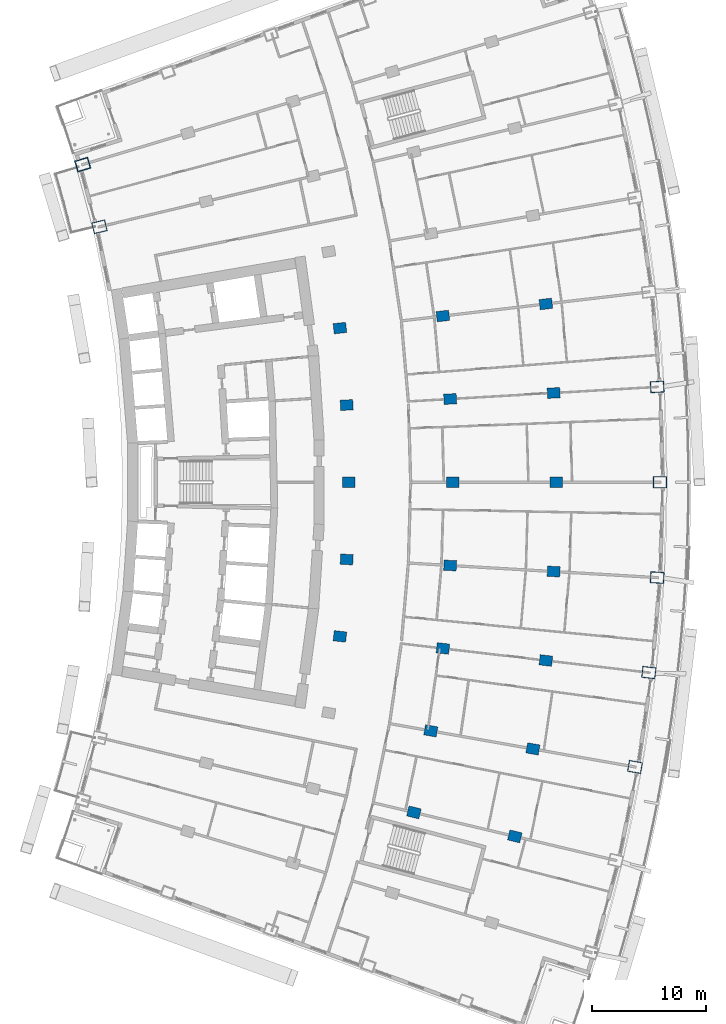
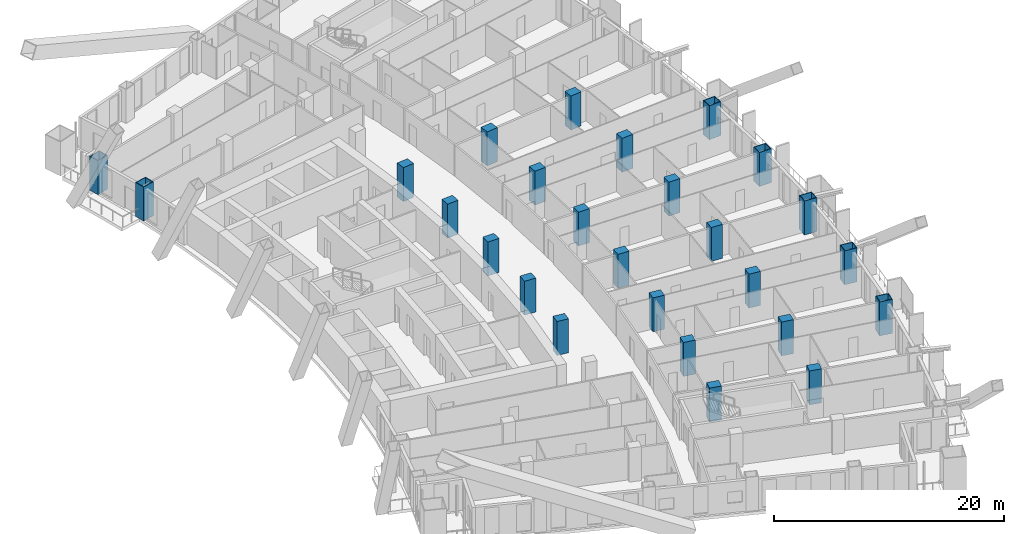
# One storey, part 6 of 25: 26 columns.
"""IFC4 building model written with IfcOpenShell, lengths in metres."""

from ifc_helpers import new_model, si_unit, direction, frame, origin, origin_2d, place, context, subcontext, project, spatial, rectangle, hollow_rectangle, extrude, material, material_profile, profile_set, type_object, element, save


model = new_model("IFC4")

# Units and contexts
model_context = context("Model", 3, precision=1e-05, world=origin(), true_north=direction((0.0, 1.0)))
body_context = subcontext(model_context, "Body", "Model", "MODEL_VIEW")
ifc_project = project(units=[si_unit("LENGTHUNIT", "METRE"), si_unit("AREAUNIT", "SQUARE_METRE"), si_unit("VOLUMEUNIT", "CUBIC_METRE"), si_unit("PLANEANGLEUNIT", "RADIAN"), si_unit("MASSUNIT", "GRAM", prefix="KILO")], contexts=[model_context])

# Site, building, storey
site_placement = place(None, origin())
site = spatial("IfcSite", under=ifc_project, at=site_placement, CompositionType="ELEMENT")
building_placement = place(site_placement, origin())
building = spatial("IfcBuilding", under=site, at=building_placement, Name="Alderwake Tower", CompositionType="ELEMENT")
storey_placement = place(building_placement, frame((0.0, 0.0, 42.800048828125)))
storey = spatial("IfcBuildingStorey", under=building, at=storey_placement, Name="L09", CompositionType="ELEMENT", Elevation=42.800048828125)

# Columns
ifc_material_1 = material(Name="Concrete C70/85", Category="concrete")
ifc_material_profile_1 = material_profile(ifc_material_1, rectangle(XDim=0.89990234375, YDim=1.10009765625, at=origin_2d()), Name="RC 1100X900")
ifc_profile_set_1 = profile_set([ifc_material_profile_1], Name="Concrete C70/85")
column_type_1 = type_object("IfcColumnType", Name="Interior column Z1", PredefinedType="COLUMN", material=ifc_profile_set_1)
for number, where, z_axis, x_axis, name in (
    (1, (41.48291015625, 32.128173828125, 0.0), (0.0, 0.0, 1.0), (0.231221547198, 0.972901123502, 0.0), "Column R03-C3"),
    (2, (50.3037109375, 30.03173828125, 0.0), (0.0, 0.0, 1.0), (0.231221547198, 0.972901123502, 0.0), "Column R03-C4"),
    (3, (42.959716796875, 39.259765625, 0.0), (0.0, 0.0, 1.0), (0.174108800747, 0.984726421654, 0.0), "Column R04-C3"),
    (4, (51.8876953125, 37.68115234375, 0.0), (0.0, 0.0, 1.0), (0.174108800747, 0.984726421654, 0.0), "Column R04-C4"),
    (5, (35.0126953125, 47.5205078125, 0.0), (0.0, 0.0, 1.0), (0.116402054316, 0.993202175668, 0.0), "Column R05-C2"),
    (6, (44.017822265625, 46.465087890625, 0.0), (0.0, 0.0, 1.0), (0.116402054316, 0.993202175668, 0.0), "Column R05-C3"),
    (7, (53.022705078125, 45.409912109375, 0.0), (0.0, 0.0, 1.0), (0.116402054316, 0.993202175668, 0.0), "Column R05-C4"),
    (8, (35.60302734375, 54.248779296875, 0.0), (0.0, 0.0, 1.0), (0.058301061284, 0.998299046505, 0.0), "Column R06-C2"),
    (9, (44.654296875, 53.72021484375, 0.0), (0.0, 0.0, 1.0), (0.058301061284, 0.998299046505, 0.0), "Column R06-C3"),
    (10, (53.70556640625, 53.191650390625, 0.0), (0.0, 0.0, 1.0), (0.058299318924, 0.998299148258, 0.0), "Column R06-C4"),
    (11, (35.800048828125, 61.0, 0.0), (0.0, 0.0, 1.0), (0.0, 1.0, 0.0), "Column R07-C2"),
    (12, (44.86669921875, 61.0, 0.0), (0.0, 0.0, 1.0), (0.0, 1.0, 0.0), "Column R07-C3"),
    (13, (53.933349609375, 61.0, 0.0), (0.0, 0.0, 1.0), (0.0, 1.0, 0.0), "Column R07-C4"),
    (14, (35.60302734375, 67.751220703125, 0.0), (0.0, 0.0, 1.0), (-0.058301061284, 0.998299046505, 0.0), "Column R08-C2"),
    (15, (44.654296875, 68.27978515625, 0.0), (0.0, 0.0, 1.0), (-0.058301061284, 0.998299046505, 0.0), "Column R08-C3"),
    (16, (53.70556640625, 68.808349609375, 0.0), (0.0, 0.0, 1.0), (-0.058299318924, 0.998299148258, 0.0), "Column R08-C4"),
    (17, (35.0126953125, 74.4794921875, 0.0), (0.0, 0.0, 1.0), (-0.116402054316, 0.993202175668, 0.0), "Column R09-C2"),
    (18, (44.017822265625, 75.534912109375, 0.0), (0.0, 0.0, 1.0), (-0.116402054316, 0.993202175668, 0.0), "Column R09-C3"),
    (19, (53.022705078125, 76.590087890625, 0.0), (0.0, 0.0, 1.0), (-0.116402054316, 0.993202175668, 0.0), "Column R09-C4"),
):
    element("IfcColumn", number, at=place(storey_placement, frame(where, z_axis=z_axis, x_axis=x_axis)), inside=storey, type_object=column_type_1, Name=name, PredefinedType="COLUMN", context=body_context, shape_type="SweptSolid", body=[
        extrude(rectangle(XDim=0.89990234375, YDim=1.10009765625, at=origin_2d()), origin(), (0.0, 0.0, 1.0), 3.599853515625),
    ])
ifc_material_2 = material(Name="Steel ASTM A572 Grade 50 concrete filled C70/85", Category="concrete")
ifc_material_profile_2 = material_profile(ifc_material_2, hollow_rectangle(XDim=1.0, YDim=1.199951171875, WallThickness=0.06005859375, at=origin_2d()), Name="BOX 1200X1000X60")
ifc_profile_set_2 = profile_set([ifc_material_profile_2], Name="Steel ASTM A572 Grade 50 concrete filled C70/85")
column_type_2 = type_object("IfcColumnType", Name="Perimeter column Z1", PredefinedType="COLUMN", material=ifc_profile_set_2)
for number, where, z_axis, x_axis, name in (
    (20, (60.81591796875, 36.1025390625, 0.0), (0.0, 0.0, 1.0), (0.174108800747, 0.984726421654, 0.0), "Column R04-C5"),
    (21, (62.02783203125, 44.3544921875, 0.0), (0.0, 0.0, 1.0), (0.116402054316, 0.993202175668, 0.0), "Column R05-C5"),
    (22, (62.7568359375, 52.6630859375, 0.0), (0.0, 0.0, 1.0), (0.058299318924, 0.998299148258, 0.0), "Column R06-C5"),
    (23, (63.0, 61.0, 0.0), (0.0, 0.0, 1.0), (0.0, 1.0, 0.0), "Column R07-C5"),
    (24, (62.7568359375, 69.3369140625, 0.0), (0.0, 0.0, 1.0), (-0.058299318924, 0.998299148258, 0.0), "Column R08-C5"),
    (25, (13.982177734375, 83.3359375, 0.0), (0.0, 0.0, 1.0), (-0.231221547198, 0.972901123502, 0.0), "Column R11-C0"),
    (26, (12.520263671875, 88.777099609375, 0.0), (0.0, 0.0, 1.0), (-0.287549418125, 0.957765802342, 0.0), "Column R12-C0"),
):
    element("IfcColumn", number, at=place(storey_placement, frame(where, z_axis=z_axis, x_axis=x_axis)), inside=storey, type_object=column_type_2, Name=name, PredefinedType="COLUMN", context=body_context, shape_type="SweptSolid", body=[
        extrude(hollow_rectangle(XDim=1.0, YDim=1.199951171875, WallThickness=0.06005859375, at=origin_2d()), origin(), (0.0, 0.0, 1.0), 3.599853515625),
    ])

save(model, "model.ifc")
